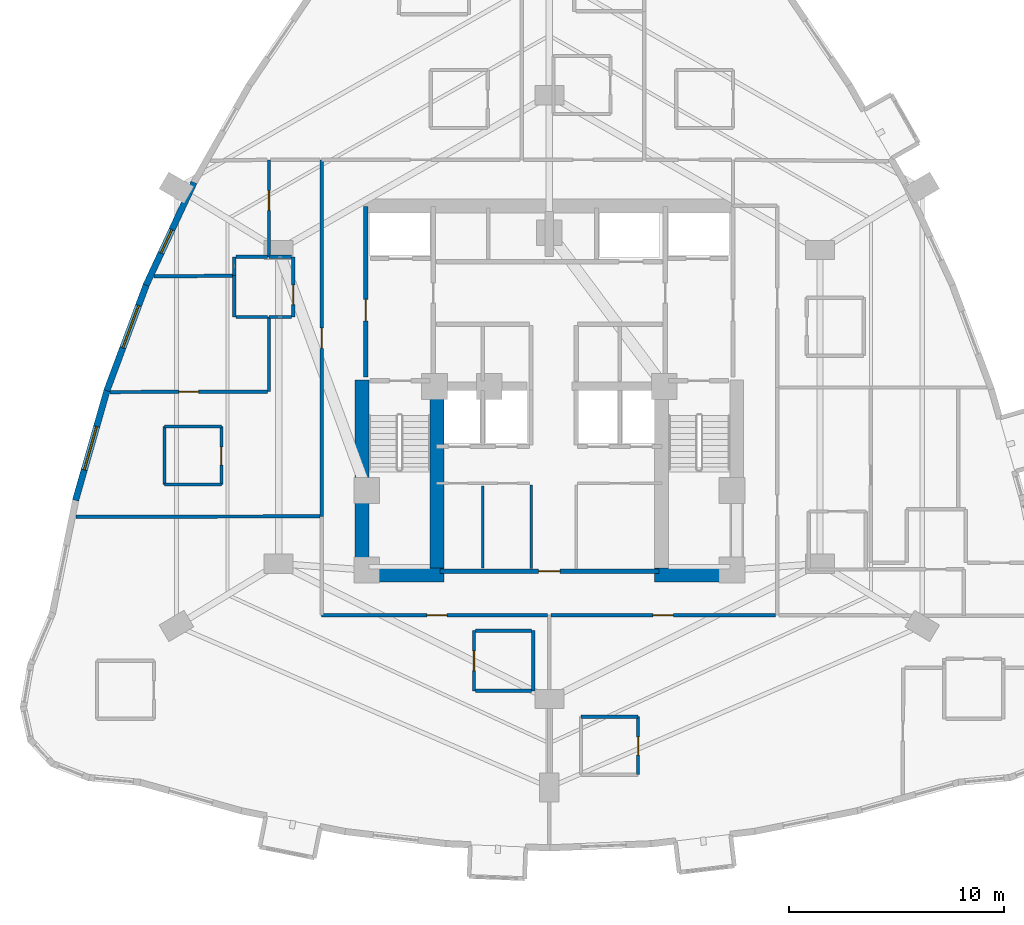
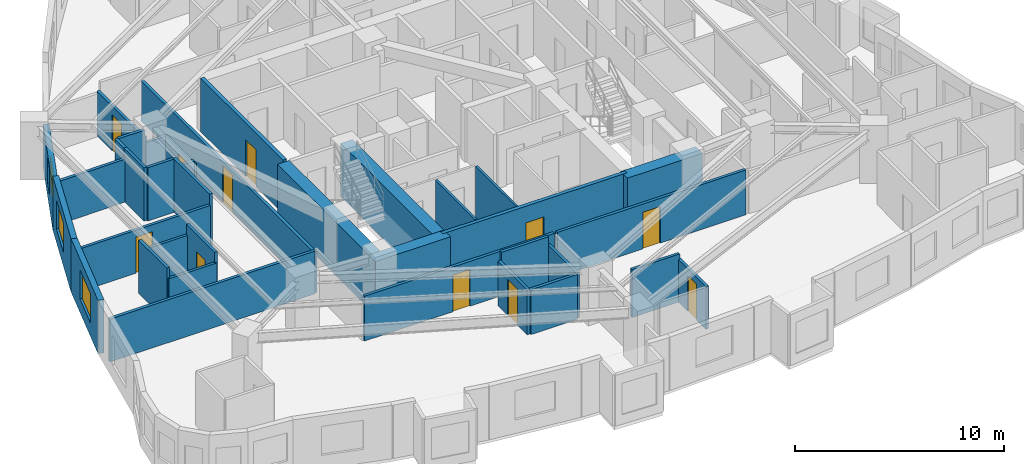
# One storey, part 7 of 13: 36 walls, 11 doors, 3 windows, 14 openings.
"""IFC4 building model written with IfcOpenShell, lengths in metres."""

from ifc_helpers import new_model, si_unit, direction, frame, frame_2d, origin, place, context, subcontext, project, spatial, rectangle, extrude, material, layer, layer_set, type_object, element, fill, save


model = new_model("IFC4")

# Units and contexts
model_context = context("Model", 3, precision=1e-05, world=origin(), true_north=direction((0.0, 1.0)))
body_context = subcontext(model_context, "Body", "Model", "MODEL_VIEW")
ifc_project = project(units=[si_unit("LENGTHUNIT", "METRE"), si_unit("AREAUNIT", "SQUARE_METRE"), si_unit("VOLUMEUNIT", "CUBIC_METRE"), si_unit("PLANEANGLEUNIT", "RADIAN"), si_unit("MASSUNIT", "GRAM", prefix="KILO")], contexts=[model_context])

# Site, building, storey
site_placement = place(None, origin())
site = spatial("IfcSite", under=ifc_project, at=site_placement, CompositionType="ELEMENT")
building_placement = place(site_placement, origin())
building = spatial("IfcBuilding", under=site, at=building_placement, Name="Miruveldt Soraemaru", CompositionType="ELEMENT")
storey_placement = place(building_placement, frame((0.0, 0.0, 63.199951171875)))
storey = spatial("IfcBuildingStorey", under=building, at=storey_placement, Name="L17", CompositionType="ELEMENT", Elevation=63.199951171875)

# Walls
ifc_material_1 = material(Name="Concrete C80/95 (80 MPa)", Category="concrete")
ifc_layer_1 = layer(ifc_material_1, 0.64990234375, Name="Concrete C80/95 (80 MPa)", Category="concrete")
ifc_layer_set_1 = layer_set([ifc_layer_1], Name="Concrete C80/95 (80 MPa)")
wall_type_1 = type_object("IfcWallType", Name="WALL-CW-650", PredefinedType="SHEAR", material=ifc_layer_set_1)
for number, where, z_axis, x_axis, name in (
    (1, (34.949951171875, 35.27490234375, 0.0), (0.0, 0.0, 1.0), (1.0, 0.0, 0.0), "L17 Central Core Shear Wall S1"),
    (2, (48.89990234375, 35.27490234375, 0.0), (0.0, 0.0, 1.0), (1.0, 0.0, 0.0), "L17 Central Core Shear Wall S2"),
):
    element("IfcWall", number, at=place(storey_placement, frame(where, z_axis=z_axis, x_axis=x_axis)), inside=storey, type_object=wall_type_1, Name=name, PredefinedType="SHEAR", context=body_context, shape_type="SweptSolid", body=[
        extrude(rectangle(XDim=4.150146484375, YDim=0.64990234375, at=frame_2d((2.0751953125, 0.0))), origin(), (0.0, 0.0, 1.0), 3.125),
    ])
wall_1_placement = place(storey_placement, frame((35.27490234375, 34.949951171875, 0.0), z_axis=(0.0, 0.0, 1.0), x_axis=(0.0, 1.0, 0.0)))
element("IfcWall", 3, at=wall_1_placement, inside=storey, type_object=wall_type_1, Name="L17 Central Core Shear Wall W1", PredefinedType="SHEAR", context=body_context, shape_type="SweptSolid", body=[
    extrude(rectangle(XDim=9.400146484375, YDim=0.64990234375, at=frame_2d((4.7001953125, 0.0))), origin(), (0.0, 0.0, 1.0), 3.125),
])
wall_2_placement = place(storey_placement, frame((38.77490234375, 35.39990234375, 0.0), z_axis=(0.0, 0.0, 1.0), x_axis=(0.0, 1.0, 0.0)))
element("IfcWall", 4, at=wall_2_placement, inside=storey, type_object=wall_type_1, Name="L17 Central Core Shear Wall SW-INT", PredefinedType="SHEAR", context=body_context, shape_type="SweptSolid", body=[
    extrude(rectangle(XDim=8.9501953125, YDim=0.64990234375, at=frame_2d((4.47509765625, 0.0))), origin(), (0.0, 0.0, 1.0), 3.125),
])

# Wall, opening, window
ifc_material_2 = material(Name="Precast concrete C45/55 (45 MPa)", Category="concrete")
ifc_layer_2 = layer(ifc_material_2, 0.300048828125, Name="Precast concrete C45/55 (45 MPa)", Category="concrete")
ifc_layer_set_2 = layer_set([ifc_layer_2], Name="Precast concrete C45/55 (45 MPa)")
wall_type_2 = type_object("IfcWallType", Name="WALL-EXT-PC300", PredefinedType="SOLIDWALL", material=ifc_layer_set_2)
wall_3_placement = place(storey_placement, frame((27.45947265625, 53.548583984375, 0.0), z_axis=(0.0, 0.0, 1.0), x_axis=(-0.422343511182, -0.906435854632, 0.0)))
wall_3 = element("IfcWall", 5, at=wall_3_placement, inside=storey, type_object=wall_type_2, Name="L17 Precast Concrete Facade Wall 11", PredefinedType="SOLIDWALL", context=body_context, shape_type="SweptSolid", body=[
    extrude(rectangle(XDim=5.2783203125, YDim=0.300048828125, at=frame_2d((2.63916015625, 0.0))), origin(), (0.0, 0.0, 1.0), 2.512939453125),
])
opening_1_placement = place(wall_3_placement, frame((2.427001953125, 0.0, 0.780029296875)))
opening_1 = element("IfcOpeningElement", 6, at=opening_1_placement, cuts=wall_3, Name="Opening WN-4", PredefinedType="OPENING", context=body_context, shape_type="SweptSolid", body=[
    extrude(rectangle(XDim=1.199951171875, YDim=1.550048828125, at=frame_2d((0.60009765625, 0.77490234375))), frame((0.0, 0.16015625, 0.0), z_axis=(0.0, -1.0, 0.0), x_axis=(1.0, 0.0, 0.0)), (0.0, 0.0, 1.0), 0.320068359375),
])
ifc_material_3 = material(Name="Triple low-e insulated glazing", Category="glass")
window_type_1 = type_object("IfcWindowType", Name="WIN-PUNCH-1200x1550", PartitioningType="SINGLE_PANEL", PredefinedType="WINDOW", material=ifc_material_3)
window_1_placement = place(opening_1_placement, origin())
window_1 = element("IfcWindow", 7, at=window_1_placement, inside=storey, type_object=window_type_1, Name="L17 Punched Triple-Glazed Window 11.1", OverallHeight=1.550048828125, OverallWidth=1.199951171875, PartitioningType="SINGLE_PANEL", PredefinedType="WINDOW", context=body_context, shape_type="SweptSolid", body=[
    extrude(rectangle(XDim=1.199951171875, YDim=1.550048828125, at=frame_2d((0.60009765625, 0.77490234375))), frame((0.0, 0.030029296875, 0.0), z_axis=(0.0, -1.0, 0.0), x_axis=(1.0, 0.0, 0.0)), (0.0, 0.0, 1.0), 0.06005859375),
])
fill(opening_1, window_1)

wall_4_placement = place(storey_placement, frame((25.25732421875, 48.82861328125, 0.0), z_axis=(0.0, 0.0, 1.0), x_axis=(-0.349006928215, -0.937120143876, 0.0)))
wall_4 = element("IfcWall", 8, at=wall_4_placement, inside=storey, type_object=wall_type_2, Name="L17 Precast Concrete Facade Wall 12", PredefinedType="SOLIDWALL", context=body_context, shape_type="SweptSolid", body=[
    extrude(rectangle(XDim=5.3115234375, YDim=0.300048828125, at=frame_2d((2.65576171875, 0.0))), origin(), (0.0, 0.0, 1.0), 3.125),
])
opening_2_placement = place(wall_4_placement, frame((1.08203125, 0.0, 0.800048828125)))
opening_2 = element("IfcOpeningElement", 9, at=opening_2_placement, cuts=wall_4, Name="Opening WN-1", PredefinedType="OPENING", context=body_context, shape_type="SweptSolid", body=[
    extrude(rectangle(XDim=2.10009765625, YDim=1.699951171875, at=frame_2d((1.050048828125, 0.85009765625))), frame((0.0, 0.16015625, 0.0), z_axis=(0.0, -1.0, 0.0), x_axis=(1.0, 0.0, 0.0)), (0.0, 0.0, 1.0), 0.320068359375),
])
window_type_2 = type_object("IfcWindowType", Name="WIN-PUNCH-2100x1700", PartitioningType="SINGLE_PANEL", PredefinedType="WINDOW", material=ifc_material_3)
window_2_placement = place(opening_2_placement, origin())
window_2 = element("IfcWindow", 10, at=window_2_placement, inside=storey, type_object=window_type_2, Name="L17 Punched Triple-Glazed Window 12.1", OverallHeight=1.699951171875, OverallWidth=2.10009765625, PartitioningType="SINGLE_PANEL", PredefinedType="WINDOW", context=body_context, shape_type="SweptSolid", body=[
    extrude(rectangle(XDim=2.10009765625, YDim=1.699951171875, at=frame_2d((1.050048828125, 0.85009765625))), frame((0.0, 0.030029296875, 0.0), z_axis=(0.0, -1.0, 0.0), x_axis=(1.0, 0.0, 0.0)), (0.0, 0.0, 1.0), 0.06005859375),
])
fill(opening_2, window_2)

wall_5_placement = place(storey_placement, frame((23.42529296875, 43.91748046875, 0.0), z_axis=(0.0, 0.0, 1.0), x_axis=(-0.274960984618, -0.961455384788, 0.0)))
wall_5 = element("IfcWall", 11, at=wall_5_placement, inside=storey, type_object=wall_type_2, Name="L17 Precast Concrete Facade Wall 13", PredefinedType="SOLIDWALL", context=body_context, shape_type="SweptSolid", body=[
    extrude(rectangle(XDim=5.377197265625, YDim=0.300048828125, at=frame_2d((2.6884765625, 0.0))), origin(), (0.0, 0.0, 1.0), 3.125),
])
opening_3_placement = place(wall_5_placement, frame((1.802978515625, 0.0, 0.800048828125)))
opening_3 = element("IfcOpeningElement", 12, at=opening_3_placement, cuts=wall_5, Name="Opening WN-1", PredefinedType="OPENING", context=body_context, shape_type="SweptSolid", body=[
    extrude(rectangle(XDim=2.10009765625, YDim=1.699951171875, at=frame_2d((1.050048828125, 0.85009765625))), frame((0.0, 0.16015625, 0.0), z_axis=(0.0, -1.0, 0.0), x_axis=(1.0, 0.0, 0.0)), (0.0, 0.0, 1.0), 0.320068359375),
])
window_3_placement = place(opening_3_placement, origin())
window_3 = element("IfcWindow", 13, at=window_3_placement, inside=storey, type_object=window_type_2, Name="L17 Punched Triple-Glazed Window 13.1", OverallHeight=1.699951171875, OverallWidth=2.10009765625, PartitioningType="SINGLE_PANEL", PredefinedType="WINDOW", context=body_context, shape_type="SweptSolid", body=[
    extrude(rectangle(XDim=2.10009765625, YDim=1.699951171875, at=frame_2d((1.050048828125, 0.85009765625))), frame((0.0, 0.030029296875, 0.0), z_axis=(0.0, -1.0, 0.0), x_axis=(1.0, 0.0, 0.0)), (0.0, 0.0, 1.0), 0.06005859375),
])
fill(opening_3, window_3)

# Walls
ifc_material_4 = material(Name="Gypsum plasterboard lining", Category="gypsum")
ifc_layer_3 = layer(ifc_material_4, 0.1201171875, Name="Gypsum plasterboard lining", Category="gypsum")
ifc_layer_set_3 = layer_set([ifc_layer_3], Name="Gypsum plasterboard lining")
wall_type_3 = type_object("IfcWallType", Name="WALL-INT-P120", PredefinedType="PARTITIONING", material=ifc_layer_set_3)
wall_6_placement = place(storey_placement, frame((43.14990234375, 35.580078125, 0.0), z_axis=(0.0, 0.0, 1.0), x_axis=(0.0, 1.0, 0.0)))
element("IfcWall", 14, at=wall_6_placement, inside=storey, type_object=wall_type_3, Name="L17 Core Compartment Wall SP-WS", PredefinedType="PARTITIONING", context=body_context, shape_type="SweptSolid", body=[
    extrude(rectangle(XDim=3.869873046875, YDim=0.1201171875, at=frame_2d((1.93505859375, 0.0))), origin(), (0.0, 0.0, 1.0), 3.125),
])
wall_7_placement = place(storey_placement, frame((40.89990234375, 35.60009765625, 0.0), z_axis=(0.0, 0.0, 1.0), x_axis=(0.0, 1.0, 0.0)))
element("IfcWall", 15, at=wall_7_placement, inside=storey, type_object=wall_type_3, Name="L17 Core Compartment Wall CW1-V", PredefinedType="PARTITIONING", context=body_context, shape_type="SweptSolid", body=[
    extrude(rectangle(XDim=3.81982421875, YDim=0.1201171875, at=frame_2d((1.909912109375, 0.0))), origin(), (0.0, 0.0, 1.0), 3.125),
])

# Wall, opening, door
ifc_layer_4 = layer(ifc_material_4, 0.14990234375, Name="Gypsum plasterboard lining", Category="gypsum")
ifc_layer_set_4 = layer_set([ifc_layer_4], Name="Gypsum plasterboard lining")
wall_type_4 = type_object("IfcWallType", Name="WALL-INT-PLUMB", PredefinedType="PLUMBINGWALL", material=ifc_layer_set_4)
wall_8_placement = place(storey_placement, frame((28.73388671875, 39.47998046875, 0.0), z_axis=(0.0, 0.0, 1.0), x_axis=(0.0, 1.0, 0.0)))
wall_8 = element("IfcWall", 16, at=wall_8_placement, inside=storey, type_object=wall_type_4, Name="L17 Partition Wall 42", PredefinedType="PLUMBINGWALL", context=body_context, shape_type="SweptSolid", body=[
    extrude(rectangle(XDim=2.699951171875, YDim=0.14990234375, at=frame_2d((1.35009765625, 0.0))), origin(), (0.0, 0.0, 1.0), 3.125),
])
opening_4_placement = place(wall_8_placement, frame((0.909912109375, 0.0, 0.0)))
opening_4 = element("IfcOpeningElement", 17, at=opening_4_placement, cuts=wall_8, Name="Opening FD3", PredefinedType="OPENING", context=body_context, shape_type="SweptSolid", body=[
    extrude(rectangle(XDim=0.85009765625, YDim=2.10009765625, at=frame_2d((0.425048828125, 1.050048828125))), frame((0.0, 0.0849609375, 0.0), z_axis=(0.0, -1.0, 0.0), x_axis=(1.0, 0.0, 0.0)), (0.0, 0.0, 1.0), 0.169921875),
])
ifc_material_5 = material(Name="Anodised aluminium EN AW-6063 T6", Category="aluminium")
door_type_1 = type_object("IfcDoorType", Name="DOOR-FD3-850", OperationType="NOTDEFINED", PredefinedType="DOOR", material=ifc_material_5)
door_1_placement = place(opening_4_placement, origin())
door_1 = element("IfcDoor", 18, at=door_1_placement, inside=storey, type_object=door_type_1, Name="L17 Unit 1705 BTH Door", OperationType="SINGLE_SWING_LEFT", OverallHeight=2.10009765625, OverallWidth=0.85009765625, PredefinedType="DOOR", context=body_context, shape_type="SweptSolid", body=[
    extrude(rectangle(XDim=0.85009765625, YDim=2.10009765625, at=frame_2d((0.425048828125, 1.050048828125))), frame((0.0, 0.02490234375, 0.0), z_axis=(0.0, -1.0, 0.0), x_axis=(1.0, 0.0, 0.0)), (0.0, 0.0, 1.0), 0.050048828125),
])
fill(opening_4, door_1)

wall_9_placement = place(storey_placement, frame((48.1298828125, 25.97802734375, 0.0), z_axis=(0.0, 0.0, 1.0), x_axis=(0.0, 1.0, 0.0)))
wall_9 = element("IfcWall", 19, at=wall_9_placement, inside=storey, type_object=wall_type_4, Name="L17 Partition Wall 80", PredefinedType="PLUMBINGWALL", context=body_context, shape_type="SweptSolid", body=[
    extrude(rectangle(XDim=2.699951171875, YDim=0.14990234375, at=frame_2d((1.35009765625, 0.0))), origin(), (0.0, 0.0, 1.0), 2.512939453125),
])
opening_5_placement = place(wall_9_placement, frame((0.909912109375, 0.0, 0.0)))
opening_5 = element("IfcOpeningElement", 20, at=opening_5_placement, cuts=wall_9, Name="Opening FD3", PredefinedType="OPENING", context=body_context, shape_type="SweptSolid", body=[
    extrude(rectangle(XDim=0.85009765625, YDim=2.10009765625, at=frame_2d((0.425048828125, 1.050048828125))), frame((0.0, 0.0849609375, 0.0), z_axis=(0.0, -1.0, 0.0), x_axis=(1.0, 0.0, 0.0)), (0.0, 0.0, 1.0), 0.169921875),
])
door_2_placement = place(opening_5_placement, origin())
door_2 = element("IfcDoor", 21, at=door_2_placement, inside=storey, type_object=door_type_1, Name="L17 Unit 1709 BTH Door", OperationType="SINGLE_SWING_RIGHT", OverallHeight=2.10009765625, OverallWidth=0.85009765625, PredefinedType="DOOR", context=body_context, shape_type="SweptSolid", body=[
    extrude(rectangle(XDim=0.85009765625, YDim=2.10009765625, at=frame_2d((0.425048828125, 1.050048828125))), frame((0.0, 0.02490234375, 0.0), z_axis=(0.0, -1.0, 0.0), x_axis=(1.0, 0.0, 0.0)), (0.0, 0.0, 1.0), 0.050048828125),
])
fill(opening_5, door_2)

# Walls
wall_10_placement = place(storey_placement, frame((26.083984375, 42.179931640625, 0.0), z_axis=(0.0, 0.0, 1.0), x_axis=(0.0, -1.0, 0.0)))
element("IfcWall", 22, at=wall_10_placement, inside=storey, type_object=wall_type_4, Name="L17 Partition Wall 44", PredefinedType="PLUMBINGWALL", context=body_context, shape_type="SweptSolid", body=[
    extrude(rectangle(XDim=2.699951171875, YDim=0.14990234375, at=frame_2d((1.35009765625, 0.0))), origin(), (0.0, 0.0, 1.0), 3.125),
])
wall_11_placement = place(storey_placement, frame((48.1298828125, 28.677978515625, 0.0), z_axis=(0.0, 0.0, 1.0), x_axis=(-1.0, 0.0, 0.0)))
element("IfcWall", 23, at=wall_11_placement, inside=storey, type_object=wall_type_4, Name="L17 Partition Wall 81", PredefinedType="PLUMBINGWALL", context=body_context, shape_type="SweptSolid", body=[
    extrude(rectangle(XDim=2.64990234375, YDim=0.14990234375, at=frame_2d((1.324951171875, 0.0))), origin(), (0.0, 0.0, 1.0), 2.81298828125),
])
for number, where, z_axis, x_axis, name in (
    (24, (28.73388671875, 42.179931640625, 0.0), (0.0, 0.0, 1.0), (-1.0, 0.0, 0.0), "L17 Partition Wall 43"),
    (25, (26.083984375, 39.47998046875, 0.0), (0.0, 0.0, 1.0), (1.0, 0.0, 0.0), "L17 Partition Wall 45"),
):
    element("IfcWall", number, at=place(storey_placement, frame(where, z_axis=z_axis, x_axis=x_axis)), inside=storey, type_object=wall_type_4, Name=name, PredefinedType="PLUMBINGWALL", context=body_context, shape_type="SweptSolid", body=[
        extrude(rectangle(XDim=2.64990234375, YDim=0.14990234375, at=frame_2d((1.324951171875, 0.0))), origin(), (0.0, 0.0, 1.0), 2.512939453125),
    ])

# Wall, opening, door
ifc_material_6 = material(Name="Concrete C40/50 (40 MPa)", Category="concrete")
ifc_layer_5 = layer(ifc_material_6, 0.159912109375, Name="Concrete C40/50 (40 MPa)", Category="concrete")
ifc_layer_set_5 = layer_set([ifc_layer_5], Name="Concrete C40/50 (40 MPa)")
wall_type_5 = type_object("IfcWallType", Name="WALL-INT-RC160", PredefinedType="SOLIDWALL", material=ifc_layer_set_5)
wall_12_placement = place(storey_placement, frame((33.39990234375, 54.60009765625, 0.0), z_axis=(0.0, 0.0, 1.0), x_axis=(0.0, -1.0, 0.0)))
wall_12 = element("IfcWall", 26, at=wall_12_placement, inside=storey, type_object=wall_type_5, Name="L17 Partition Wall 4", PredefinedType="SOLIDWALL", context=body_context, shape_type="SweptSolid", body=[
    extrude(rectangle(XDim=16.60009765625, YDim=0.159912109375, at=frame_2d((8.300048828125, 0.0))), origin(), (0.0, 0.0, 1.0), 2.363037109375),
])
opening_6_placement = place(wall_12_placement, frame((7.824951171875, 0.0, 0.0)))
opening_6 = element("IfcOpeningElement", 27, at=opening_6_placement, cuts=wall_12, Name="Opening FD2", PredefinedType="OPENING", context=body_context, shape_type="SweptSolid", body=[
    extrude(rectangle(XDim=0.949951171875, YDim=2.14990234375, at=frame_2d((0.47509765625, 1.074951171875))), frame((0.0, 0.08984375, 0.0), z_axis=(0.0, -1.0, 0.0), x_axis=(1.0, 0.0, 0.0)), (0.0, 0.0, 1.0), 0.179931640625),
])
door_type_2 = type_object("IfcDoorType", Name="DOOR-FD2-950", OperationType="NOTDEFINED", PredefinedType="DOOR", material=ifc_material_5)
door_3_placement = place(opening_6_placement, origin())
door_3 = element("IfcDoor", 28, at=door_3_placement, inside=storey, type_object=door_type_2, Name="L17 Unit 1705 Entrance Fire Door", OperationType="SINGLE_SWING_RIGHT", OverallHeight=2.14990234375, OverallWidth=0.949951171875, PredefinedType="DOOR", context=body_context, shape_type="SweptSolid", body=[
    extrude(rectangle(XDim=0.949951171875, YDim=2.14990234375, at=frame_2d((0.47509765625, 1.074951171875))), frame((0.0, 0.02490234375, 0.0), z_axis=(0.0, -1.0, 0.0), x_axis=(1.0, 0.0, 0.0)), (0.0, 0.0, 1.0), 0.050048828125),
])
fill(opening_6, door_3)

wall_13_placement = place(storey_placement, frame((33.39990234375, 33.39990234375, 0.0), z_axis=(0.0, 0.0, 1.0), x_axis=(1.0, 0.0, 0.0)))
wall_13 = element("IfcWall", 29, at=wall_13_placement, inside=storey, type_object=wall_type_5, Name="L17 Partition Wall 10", PredefinedType="SOLIDWALL", context=body_context, shape_type="SweptSolid", body=[
    extrude(rectangle(XDim=10.52001953125, YDim=0.159912109375, at=frame_2d((5.260009765625, 0.0))), origin(), (0.0, 0.0, 1.0), 2.625),
])
opening_7_placement = place(wall_13_placement, frame((4.89501953125, 0.0, 0.0)))
opening_7 = element("IfcOpeningElement", 30, at=opening_7_placement, cuts=wall_13, Name="Opening FD2", PredefinedType="OPENING", context=body_context, shape_type="SweptSolid", body=[
    extrude(rectangle(XDim=0.949951171875, YDim=2.14990234375, at=frame_2d((0.47509765625, 1.074951171875))), frame((0.0, 0.08984375, 0.0), z_axis=(0.0, -1.0, 0.0), x_axis=(1.0, 0.0, 0.0)), (0.0, 0.0, 1.0), 0.179931640625),
])
door_4_placement = place(opening_7_placement, origin())
door_4 = element("IfcDoor", 31, at=door_4_placement, inside=storey, type_object=door_type_2, Name="L17 Unit CL08 Entrance Fire Door", OperationType="SINGLE_SWING_RIGHT", OverallHeight=2.14990234375, OverallWidth=0.949951171875, PredefinedType="DOOR", context=body_context, shape_type="SweptSolid", body=[
    extrude(rectangle(XDim=0.949951171875, YDim=2.14990234375, at=frame_2d((0.47509765625, 1.074951171875))), frame((0.0, 0.02490234375, 0.0), z_axis=(0.0, -1.0, 0.0), x_axis=(1.0, 0.0, 0.0)), (0.0, 0.0, 1.0), 0.050048828125),
])
fill(opening_7, door_4)

wall_14_placement = place(storey_placement, frame((44.080078125, 33.39990234375, 0.0), z_axis=(0.0, 0.0, 1.0), x_axis=(1.0, 0.0, 0.0)))
wall_14 = element("IfcWall", 32, at=wall_14_placement, inside=storey, type_object=wall_type_5, Name="L17 Partition Wall 11", PredefinedType="SOLIDWALL", context=body_context, shape_type="SweptSolid", body=[
    extrude(rectangle(XDim=10.43994140625, YDim=0.159912109375, at=frame_2d((5.219970703125, 0.0))), origin(), (0.0, 0.0, 1.0), 2.625),
])
opening_8_placement = place(wall_14_placement, frame((4.7451171875, 0.0, 0.0)))
opening_8 = element("IfcOpeningElement", 33, at=opening_8_placement, cuts=wall_14, Name="Opening FD2", PredefinedType="OPENING", context=body_context, shape_type="SweptSolid", body=[
    extrude(rectangle(XDim=0.949951171875, YDim=2.14990234375, at=frame_2d((0.47509765625, 1.074951171875))), frame((0.0, 0.08984375, 0.0), z_axis=(0.0, -1.0, 0.0), x_axis=(1.0, 0.0, 0.0)), (0.0, 0.0, 1.0), 0.179931640625),
])
door_5_placement = place(opening_8_placement, origin())
door_5 = element("IfcDoor", 34, at=door_5_placement, inside=storey, type_object=door_type_2, Name="L17 Unit 1709 Entrance Fire Door", OperationType="SINGLE_SWING_LEFT", OverallHeight=2.14990234375, OverallWidth=0.949951171875, PredefinedType="DOOR", context=body_context, shape_type="SweptSolid", body=[
    extrude(rectangle(XDim=0.949951171875, YDim=2.14990234375, at=frame_2d((0.47509765625, 1.074951171875))), frame((0.0, 0.02490234375, 0.0), z_axis=(0.0, -1.0, 0.0), x_axis=(1.0, 0.0, 0.0)), (0.0, 0.0, 1.0), 0.050048828125),
])
fill(opening_8, door_5)

wall_15_placement = place(storey_placement, frame((30.8701171875, 43.81005859375, 0.0), z_axis=(0.0, 0.0, 1.0), x_axis=(-0.999995072111, -0.003139387375, 0.0)))
wall_15 = element("IfcWall", 35, at=wall_15_placement, inside=storey, type_object=wall_type_5, Name="L17 Partition Wall 50", PredefinedType="SOLIDWALL", context=body_context, shape_type="SweptSolid", body=[
    extrude(rectangle(XDim=7.31005859375, YDim=0.159912109375, at=frame_2d((3.655029296875, 0.0))), origin(), (0.0, 0.0, 1.0), 2.512939453125),
])
opening_9_placement = place(wall_15_placement, frame((3.195068359375, 0.0, 0.0)))
opening_9 = element("IfcOpeningElement", 36, at=opening_9_placement, cuts=wall_15, Name="Opening D3A", PredefinedType="OPENING", context=body_context, shape_type="SweptSolid", body=[
    extrude(rectangle(XDim=0.919921875, YDim=2.10009765625, at=frame_2d((0.4599609375, 1.050048828125))), frame((0.0, 0.08984375, 0.0), z_axis=(0.0, -1.0, 0.0), x_axis=(1.0, 0.0, 0.0)), (0.0, 0.0, 1.0), 0.179931640625),
])
door_type_3 = type_object("IfcDoorType", Name="DOOR-INT-920", OperationType="NOTDEFINED", PredefinedType="DOOR", material=ifc_material_5)
door_6_placement = place(opening_9_placement, origin())
door_6 = element("IfcDoor", 37, at=door_6_placement, inside=storey, type_object=door_type_3, Name="L17 Unit 1705 BD1 Door", OperationType="SINGLE_SWING_LEFT", OverallHeight=2.10009765625, OverallWidth=0.919921875, PredefinedType="DOOR", context=body_context, shape_type="SweptSolid", body=[
    extrude(rectangle(XDim=0.919921875, YDim=2.10009765625, at=frame_2d((0.4599609375, 1.050048828125))), frame((0.0, 0.02490234375, 0.0), z_axis=(0.0, -1.0, 0.0), x_axis=(1.0, 0.0, 0.0)), (0.0, 0.0, 1.0), 0.050048828125),
])
fill(opening_9, door_6)

wall_16_placement = place(storey_placement, frame((30.949951171875, 54.60009765625, 0.0), z_axis=(0.0, 0.0, 1.0), x_axis=(0.0, -1.0, 0.0)))
wall_16 = element("IfcWall", 38, at=wall_16_placement, inside=storey, type_object=wall_type_5, Name="L17 Partition Wall 51", PredefinedType="SOLIDWALL", context=body_context, shape_type="SweptSolid", body=[
    extrude(rectangle(XDim=4.52001953125, YDim=0.159912109375, at=frame_2d((2.260009765625, 0.0))), origin(), (0.0, 0.0, 1.0), 2.625),
])
opening_10_placement = place(wall_16_placement, frame((1.43994140625, 0.0, 0.0)))
opening_10 = element("IfcOpeningElement", 39, at=opening_10_placement, cuts=wall_16, Name="Opening D3A", PredefinedType="OPENING", context=body_context, shape_type="SweptSolid", body=[
    extrude(rectangle(XDim=0.919921875, YDim=2.10009765625, at=frame_2d((0.4599609375, 1.050048828125))), frame((0.0, 0.08984375, 0.0), z_axis=(0.0, -1.0, 0.0), x_axis=(1.0, 0.0, 0.0)), (0.0, 0.0, 1.0), 0.179931640625),
])
door_7_placement = place(opening_10_placement, origin())
door_7 = element("IfcDoor", 40, at=door_7_placement, inside=storey, type_object=door_type_3, Name="L17 Unit 1705 EXT Door", OperationType="SINGLE_SWING_RIGHT", OverallHeight=2.10009765625, OverallWidth=0.919921875, PredefinedType="DOOR", context=body_context, shape_type="SweptSolid", body=[
    extrude(rectangle(XDim=0.919921875, YDim=2.10009765625, at=frame_2d((0.4599609375, 1.050048828125))), frame((0.0, 0.02490234375, 0.0), z_axis=(0.0, -1.0, 0.0), x_axis=(1.0, 0.0, 0.0)), (0.0, 0.0, 1.0), 0.050048828125),
])
fill(opening_10, door_7)

wall_17_placement = place(storey_placement, frame((32.083984375, 47.280029296875, 0.0), z_axis=(0.0, 0.0, 1.0), x_axis=(0.0, 1.0, 0.0)))
wall_17 = element("IfcWall", 41, at=wall_17_placement, inside=storey, type_object=wall_type_5, Name="L17 Partition Wall 46", PredefinedType="SOLIDWALL", context=body_context, shape_type="SweptSolid", body=[
    extrude(rectangle(XDim=2.800048828125, YDim=0.159912109375, at=frame_2d((1.39990234375, 0.0))), origin(), (0.0, 0.0, 1.0), 2.363037109375),
])
opening_11_placement = place(wall_17_placement, frame((0.580078125, 0.0, 0.0)))
opening_11 = element("IfcOpeningElement", 42, at=opening_11_placement, cuts=wall_17, Name="Opening D3A", PredefinedType="OPENING", context=body_context, shape_type="SweptSolid", body=[
    extrude(rectangle(XDim=0.919921875, YDim=2.10009765625, at=frame_2d((0.4599609375, 1.050048828125))), frame((0.0, 0.08984375, 0.0), z_axis=(0.0, -1.0, 0.0), x_axis=(1.0, 0.0, 0.0)), (0.0, 0.0, 1.0), 0.179931640625),
])
door_8_placement = place(opening_11_placement, origin())
door_8 = element("IfcDoor", 43, at=door_8_placement, inside=storey, type_object=door_type_3, Name="L17 Unit 1705 KIT Door", OperationType="SINGLE_SWING_RIGHT", OverallHeight=2.10009765625, OverallWidth=0.919921875, PredefinedType="DOOR", context=body_context, shape_type="SweptSolid", body=[
    extrude(rectangle(XDim=0.919921875, YDim=2.10009765625, at=frame_2d((0.4599609375, 1.050048828125))), frame((0.0, 0.02490234375, 0.0), z_axis=(0.0, -1.0, 0.0), x_axis=(1.0, 0.0, 0.0)), (0.0, 0.0, 1.0), 0.050048828125),
])
fill(opening_11, door_8)

wall_18_placement = place(storey_placement, frame((40.4951171875, 32.677978515625, 0.0), z_axis=(0.0, 0.0, 1.0), x_axis=(0.0, -1.0, 0.0)))
wall_18 = element("IfcWall", 44, at=wall_18_placement, inside=storey, type_object=wall_type_5, Name="L17 Partition Wall 77", PredefinedType="SOLIDWALL", context=body_context, shape_type="SweptSolid", body=[
    extrude(rectangle(XDim=2.800048828125, YDim=0.159912109375, at=frame_2d((1.39990234375, 0.0))), origin(), (0.0, 0.0, 1.0), 2.625),
])
opening_12_placement = place(wall_18_placement, frame((0.93994140625, 0.0, 0.0)))
opening_12 = element("IfcOpeningElement", 45, at=opening_12_placement, cuts=wall_18, Name="Opening D3A", PredefinedType="OPENING", context=body_context, shape_type="SweptSolid", body=[
    extrude(rectangle(XDim=0.919921875, YDim=2.10009765625, at=frame_2d((0.4599609375, 1.050048828125))), frame((0.0, 0.08984375, 0.0), z_axis=(0.0, -1.0, 0.0), x_axis=(1.0, 0.0, 0.0)), (0.0, 0.0, 1.0), 0.179931640625),
])
door_9_placement = place(opening_12_placement, origin())
door_9 = element("IfcDoor", 46, at=door_9_placement, inside=storey, type_object=door_type_3, Name="L17 Unit CL08 KIT Door", OperationType="SINGLE_SWING_RIGHT", OverallHeight=2.10009765625, OverallWidth=0.919921875, PredefinedType="DOOR", context=body_context, shape_type="SweptSolid", body=[
    extrude(rectangle(XDim=0.919921875, YDim=2.10009765625, at=frame_2d((0.4599609375, 1.050048828125))), frame((0.0, 0.02490234375, 0.0), z_axis=(0.0, -1.0, 0.0), x_axis=(1.0, 0.0, 0.0)), (0.0, 0.0, 1.0), 0.050048828125),
])
fill(opening_12, door_9)

# Walls
wall_19_placement = place(storey_placement, frame((21.9609375, 37.98388671875, 0.0), z_axis=(0.0, 0.0, 1.0), x_axis=(0.999998993324, 0.001418926206, 0.0)))
element("IfcWall", 47, at=wall_19_placement, inside=storey, type_object=wall_type_5, Name="L17 Partition Wall 52", PredefinedType="SOLIDWALL", context=body_context, shape_type="SweptSolid", body=[
    extrude(rectangle(XDim=11.35595703125, YDim=0.159912109375, at=frame_2d((5.677978515625, 0.0))), origin(), (0.0, 0.0, 1.0), 2.512939453125),
])
wall_20_placement = place(storey_placement, frame((29.25390625, 49.2041015625, 0.0), z_axis=(0.0, 0.0, 1.0), x_axis=(-0.999953688855, -0.009623936051, 0.0)))
element("IfcWall", 48, at=wall_20_placement, inside=storey, type_object=wall_type_5, Name="L17 Partition Wall 57", PredefinedType="SOLIDWALL", context=body_context, shape_type="SweptSolid", body=[
    extrude(rectangle(XDim=3.653076171875, YDim=0.159912109375, at=frame_2d((1.82666015625, 0.0))), origin(), (0.0, 0.0, 1.0), 2.512939453125),
])
wall_21_placement = place(storey_placement, frame((30.949951171875, 47.280029296875, 0.0), z_axis=(0.0, 0.0, 1.0), x_axis=(0.0, -1.0, 0.0)))
element("IfcWall", 49, at=wall_21_placement, inside=storey, type_object=wall_type_5, Name="L17 Partition Wall 49", PredefinedType="SOLIDWALL", context=body_context, shape_type="SweptSolid", body=[
    extrude(rectangle(XDim=3.469970703125, YDim=0.159912109375, at=frame_2d((1.73486328125, 0.0))), origin(), (0.0, 0.0, 1.0), 3.125),
])
wall_22_placement = place(storey_placement, frame((43.2451171875, 29.8779296875, 0.0), z_axis=(0.0, 0.0, 1.0), x_axis=(0.0, 1.0, 0.0)))
element("IfcWall", 50, at=wall_22_placement, inside=storey, type_object=wall_type_5, Name="L17 Partition Wall 75", PredefinedType="SOLIDWALL", context=body_context, shape_type="SweptSolid", body=[
    extrude(rectangle(XDim=2.800048828125, YDim=0.159912109375, at=frame_2d((1.39990234375, 0.0))), origin(), (0.0, 0.0, 1.0), 2.625),
])
wall_23_placement = place(storey_placement, frame((43.1650390625, 32.677978515625, 0.0), z_axis=(0.0, 0.0, 1.0), x_axis=(-1.0, 0.0, 0.0)))
element("IfcWall", 51, at=wall_23_placement, inside=storey, type_object=wall_type_5, Name="L17 Partition Wall 76", PredefinedType="SOLIDWALL", context=body_context, shape_type="SweptSolid", body=[
    extrude(rectangle(XDim=2.590087890625, YDim=0.159912109375, at=frame_2d((1.294921875, 0.0))), origin(), (0.0, 0.0, 1.0), 3.125),
])
wall_24_placement = place(storey_placement, frame((40.574951171875, 29.8779296875, 0.0), z_axis=(0.0, 0.0, 1.0), x_axis=(1.0, 0.0, 0.0)))
element("IfcWall", 52, at=wall_24_placement, inside=storey, type_object=wall_type_5, Name="L17 Partition Wall 78", PredefinedType="SOLIDWALL", context=body_context, shape_type="SweptSolid", body=[
    extrude(rectangle(XDim=2.590087890625, YDim=0.159912109375, at=frame_2d((1.294921875, 0.0))), origin(), (0.0, 0.0, 1.0), 2.625),
])
wall_25_placement = place(storey_placement, frame((29.333984375, 49.205078125, 0.0), z_axis=(0.0, 0.0, 1.0), x_axis=(0.0, -1.0, 0.0)))
element("IfcWall", 53, at=wall_25_placement, inside=storey, type_object=wall_type_5, Name="L17 Partition Wall 53", PredefinedType="SOLIDWALL", context=body_context, shape_type="SweptSolid", body=[
    extrude(rectangle(XDim=1.925048828125, YDim=0.159912109375, at=frame_2d((0.96240234375, 0.0))), origin(), (0.0, 0.0, 1.0), 3.125),
])
for number, where, z_axis, x_axis, name in (
    (54, (29.4140625, 47.280029296875, 0.0), (0.0, 0.0, 1.0), (1.0, 0.0, 0.0), "L17 Partition Wall 54"),
    (55, (30.8701171875, 50.080078125, 0.0), (0.0, 0.0, 1.0), (-1.0, 0.0, 0.0), "L17 Partition Wall 55"),
):
    element("IfcWall", number, at=place(storey_placement, frame(where, z_axis=z_axis, x_axis=x_axis)), inside=storey, type_object=wall_type_5, Name=name, PredefinedType="SOLIDWALL", context=body_context, shape_type="SweptSolid", body=[
        extrude(rectangle(XDim=1.4560546875, YDim=0.159912109375, at=frame_2d((0.72802734375, 0.0))), origin(), (0.0, 0.0, 1.0), 3.125),
    ])
wall_26_placement = place(storey_placement, frame((32.00390625, 50.080078125, 0.0), z_axis=(0.0, 0.0, 1.0), x_axis=(-1.0, 0.0, 0.0)))
element("IfcWall", 56, at=wall_26_placement, inside=storey, type_object=wall_type_5, Name="L17 Partition Wall 47", PredefinedType="SOLIDWALL", context=body_context, shape_type="SweptSolid", body=[
    extrude(rectangle(XDim=1.06396484375, YDim=0.159912109375, at=frame_2d((0.531982421875, 0.0))), origin(), (0.0, 0.0, 1.0), 2.363037109375),
])
wall_27_placement = place(storey_placement, frame((30.93994140625, 47.280029296875, 0.0), z_axis=(0.0, 0.0, 1.0), x_axis=(1.0, 0.0, 0.0)))
element("IfcWall", 57, at=wall_27_placement, inside=storey, type_object=wall_type_5, Name="L17 Partition Wall 48", PredefinedType="SOLIDWALL", context=body_context, shape_type="SweptSolid", body=[
    extrude(rectangle(XDim=1.06396484375, YDim=0.159912109375, at=frame_2d((0.531982421875, 0.0))), origin(), (0.0, 0.0, 1.0), 2.625),
])
wall_28_placement = place(storey_placement, frame((29.333984375, 50.080078125, 0.0), z_axis=(0.0, 0.0, 1.0), x_axis=(0.0, -1.0, 0.0)))
element("IfcWall", 58, at=wall_28_placement, inside=storey, type_object=wall_type_5, Name="L17 Partition Wall 56", PredefinedType="SOLIDWALL", context=body_context, shape_type="SweptSolid", body=[
    extrude(rectangle(XDim=0.875, YDim=0.159912109375, at=frame_2d((0.4375, 0.0))), origin(), (0.0, 0.0, 1.0), 3.125),
])

# Wall, opening, door
ifc_layer_6 = layer(ifc_material_6, 0.199951171875, Name="Concrete C40/50 (40 MPa)", Category="concrete")
ifc_layer_set_6 = layer_set([ifc_layer_6], Name="Concrete C40/50 (40 MPa)")
wall_type_6 = type_object("IfcWallType", Name="WALL-INT-RC200", PredefinedType="SOLIDWALL", material=ifc_layer_set_6)
wall_29_placement = place(storey_placement, frame((38.89990234375, 35.449951171875, 0.0), z_axis=(0.0, 0.0, 1.0), x_axis=(1.0, 0.0, 0.0)))
wall_29 = element("IfcWall", 59, at=wall_29_placement, inside=storey, type_object=wall_type_6, Name="L17 Core Compartment Wall CS-S", PredefinedType="SOLIDWALL", context=body_context, shape_type="SweptSolid", body=[
    extrude(rectangle(XDim=10.2001953125, YDim=0.199951171875, at=frame_2d((5.10009765625, 0.0))), origin(), (0.0, 0.0, 1.0), 3.125),
])
opening_13_placement = place(wall_29_placement, frame((4.60009765625, 0.0, 0.0)))
opening_13 = element("IfcOpeningElement", 60, at=opening_13_placement, cuts=wall_29, Name="Opening FD1", PredefinedType="OPENING", context=body_context, shape_type="SweptSolid", body=[
    extrude(rectangle(XDim=1.0, YDim=2.14990234375, at=frame_2d((0.5, 1.074951171875))), frame((0.0, 0.10986328125, 0.0), z_axis=(0.0, -1.0, 0.0), x_axis=(1.0, 0.0, 0.0)), (0.0, 0.0, 1.0), 0.219970703125),
])
door_type_4 = type_object("IfcDoorType", Name="DOOR-FD1-1000", OperationType="NOTDEFINED", PredefinedType="DOOR", material=ifc_material_5)
door_10_placement = place(opening_13_placement, origin())
door_10 = element("IfcDoor", 61, at=door_10_placement, inside=storey, type_object=door_type_4, Name="L17 Core South Lobby Fire Door", OperationType="SINGLE_SWING_LEFT", OverallHeight=2.14990234375, OverallWidth=1.0, PredefinedType="DOOR", context=body_context, shape_type="SweptSolid", body=[
    extrude(rectangle(XDim=1.0, YDim=2.14990234375, at=frame_2d((0.5, 1.074951171875))), frame((0.0, 0.02490234375, 0.0), z_axis=(0.0, -1.0, 0.0), x_axis=(1.0, 0.0, 0.0)), (0.0, 0.0, 1.0), 0.050048828125),
])
fill(opening_13, door_10)

wall_30_placement = place(storey_placement, frame((35.449951171875, 44.5, 0.0), z_axis=(0.0, 0.0, 1.0), x_axis=(0.0, 1.0, 0.0)))
wall_30 = element("IfcWall", 62, at=wall_30_placement, inside=storey, type_object=wall_type_6, Name="L17 Core Compartment Wall FFW-OUT", PredefinedType="SOLIDWALL", context=body_context, shape_type="SweptSolid", body=[
    extrude(rectangle(XDim=7.919921875, YDim=0.199951171875, at=frame_2d((3.9599609375, 0.0))), origin(), (0.0, 0.0, 1.0), 3.125),
])
opening_14_placement = place(wall_30_placement, frame((2.60009765625, 0.0, 0.0)))
opening_14 = element("IfcOpeningElement", 63, at=opening_14_placement, cuts=wall_30, Name="Opening FD1", PredefinedType="OPENING", context=body_context, shape_type="SweptSolid", body=[
    extrude(rectangle(XDim=1.0, YDim=2.14990234375, at=frame_2d((0.5, 1.074951171875))), frame((0.0, 0.10986328125, 0.0), z_axis=(0.0, -1.0, 0.0), x_axis=(1.0, 0.0, 0.0)), (0.0, 0.0, 1.0), 0.219970703125),
])
door_11_placement = place(opening_14_placement, origin())
door_11 = element("IfcDoor", 64, at=door_11_placement, inside=storey, type_object=door_type_4, Name="L17 West Firefighting Lobby Exit Door", OperationType="SINGLE_SWING_LEFT", OverallHeight=2.14990234375, OverallWidth=1.0, PredefinedType="DOOR", context=body_context, shape_type="SweptSolid", body=[
    extrude(rectangle(XDim=1.0, YDim=2.14990234375, at=frame_2d((0.5, 1.074951171875))), frame((0.0, 0.02490234375, 0.0), z_axis=(0.0, -1.0, 0.0), x_axis=(1.0, 0.0, 0.0)), (0.0, 0.0, 1.0), 0.050048828125),
])
fill(opening_14, door_11)

save(model, "model.ifc")
